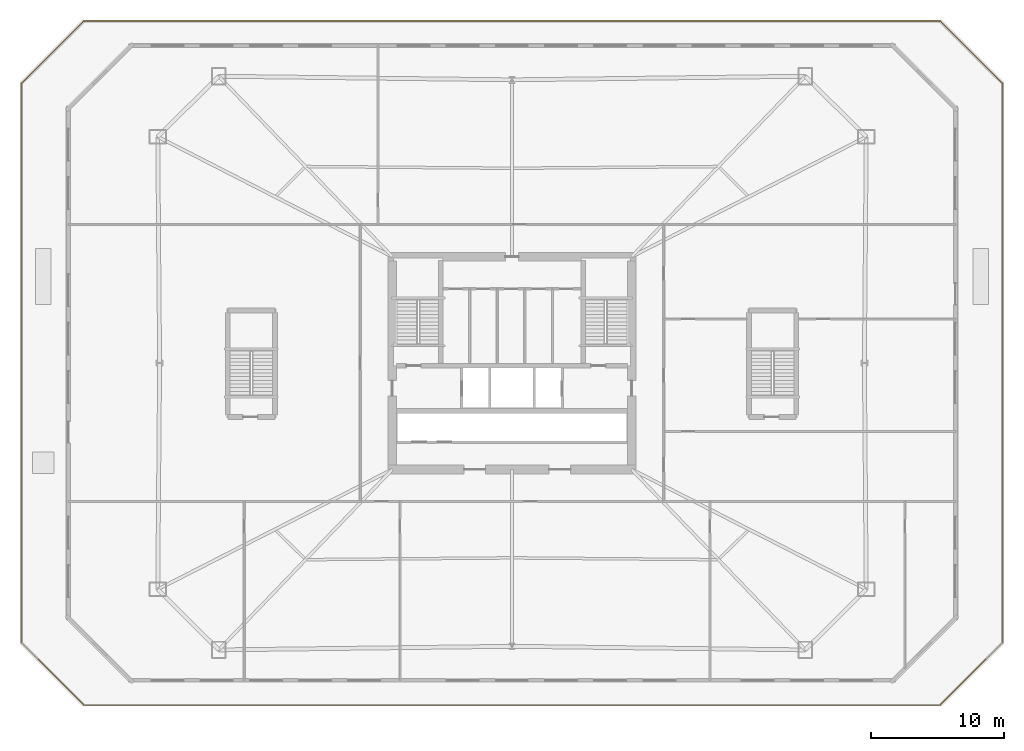
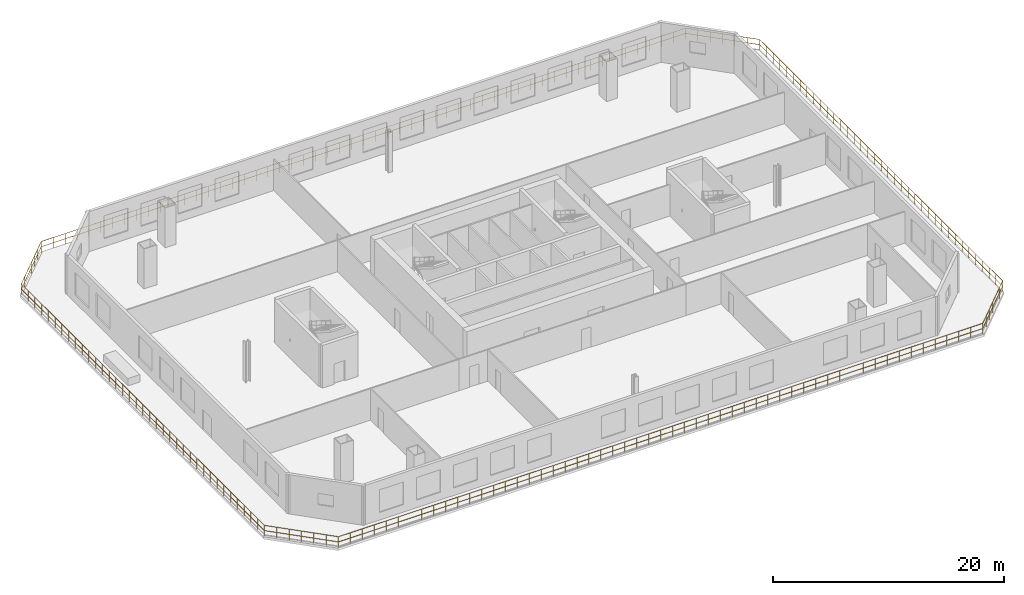
# One storey, part 8 of 10: 1 railing.
"""IFC4 building model written with IfcOpenShell, lengths in metres."""

from ifc_helpers import new_model, si_unit, direction, frame, origin, origin_2d, place, context, subcontext, project, spatial, circle, extrude, material, type_object, element, save


model = new_model("IFC4")

# Units and contexts
model_context = context("Model", 3, precision=1e-05, world=origin(), true_north=direction((0.0, 1.0)))
body_context = subcontext(model_context, "Body", "Model", "MODEL_VIEW")
ifc_project = project(units=[si_unit("LENGTHUNIT", "METRE"), si_unit("AREAUNIT", "SQUARE_METRE"), si_unit("VOLUMEUNIT", "CUBIC_METRE"), si_unit("PLANEANGLEUNIT", "RADIAN"), si_unit("MASSUNIT", "GRAM", prefix="KILO")], contexts=[model_context])

# Site, building, storey
site_placement = place(None, origin())
site = spatial("IfcSite", under=ifc_project, at=site_placement, CompositionType="ELEMENT")
building_placement = place(site_placement, origin())
building = spatial("IfcBuilding", under=site, at=building_placement, Name="Caelvoria Tower", CompositionType="ELEMENT")
storey_placement = place(building_placement, frame((0.0, 0.0, 14.0)))
storey = spatial("IfcBuildingStorey", under=building, at=storey_placement, Name="L03", CompositionType="ELEMENT", Elevation=14.0)

# Railing
ifc_material = material(Name="Bronze Anodised Aluminium and Stainless Steel", Category="steel")
railing_type = type_object("IfcRailingType", Name="Exterior Terrace and Balcony Guardrail 1150", PredefinedType="GUARDRAIL", material=ifc_material)
railing_placement = place(storey_placement, frame((13.793701171875, 6.27490234375, 0.0)))
element("IfcRailing", 1, at=railing_placement, inside=storey, type_object=railing_type, Name="Terraced Podium Roof Guardrail L03", PredefinedType="GUARDRAIL", context=body_context, shape_type="SweptSolid", body=[
    extrude(circle(Radius=0.02392578125, at=origin_2d()), frame((0.0, 0.0, 1.1259765625), z_axis=(1.0, 0.0, 0.0), x_axis=(0.0, 1.0, 0.0)), (0.0, 0.0, 1.0), 64.41259765625),
    extrude(circle(Radius=0.02392578125, at=origin_2d()), frame((0.0, 0.0, 0.574951171875), z_axis=(1.0, 0.0, 0.0), x_axis=(0.0, 1.0, 0.0)), (0.0, 0.0, 1.0), 64.41259765625),
    extrude(circle(Radius=0.02392578125, at=origin_2d()), frame((64.41259765625, 0.0, 1.1259765625), z_axis=(0.707475008358, 0.70673836216, 0.0), x_axis=(-0.70673836216, 0.707475008358, 0.0)), (0.0, 0.0, 1.0), 6.62841796875),
    extrude(circle(Radius=0.02392578125, at=origin_2d()), frame((64.41259765625, 0.0, 0.574951171875), z_axis=(0.707475008358, 0.70673836216, 0.0), x_axis=(-0.70673836216, 0.707475008358, 0.0)), (0.0, 0.0, 1.0), 6.62841796875),
    extrude(circle(Radius=0.02392578125, at=origin_2d()), frame((69.10205078125, 4.6845703125, 1.1259765625), z_axis=(0.0, 1.0, 0.0), x_axis=(-1.0, 0.0, 0.0)), (0.0, 0.0, 1.0), 42.0810546875),
    extrude(circle(Radius=0.02392578125, at=origin_2d()), frame((69.10205078125, 4.6845703125, 0.574951171875), z_axis=(0.0, 1.0, 0.0), x_axis=(-1.0, 0.0, 0.0)), (0.0, 0.0, 1.0), 42.0810546875),
    extrude(circle(Radius=0.02392578125, at=origin_2d()), frame((69.10205078125, 46.765625, 1.1259765625), z_axis=(-0.707475008358, 0.70673836216, 0.0), x_axis=(-0.70673836216, -0.707475008358, 0.0)), (0.0, 0.0, 1.0), 6.62841796875),
    extrude(circle(Radius=0.02392578125, at=origin_2d()), frame((69.10205078125, 46.765625, 0.574951171875), z_axis=(-0.707475008358, 0.70673836216, 0.0), x_axis=(-0.70673836216, -0.707475008358, 0.0)), (0.0, 0.0, 1.0), 6.62841796875),
    extrude(circle(Radius=0.02392578125, at=origin_2d()), frame((64.41259765625, 51.4501953125, 1.1259765625), z_axis=(-1.0, 0.0, 0.0), x_axis=(0.0, -1.0, 0.0)), (0.0, 0.0, 1.0), 64.41259765625),
    extrude(circle(Radius=0.02392578125, at=origin_2d()), frame((64.41259765625, 51.4501953125, 0.574951171875), z_axis=(-1.0, 0.0, 0.0), x_axis=(0.0, -1.0, 0.0)), (0.0, 0.0, 1.0), 64.41259765625),
    extrude(circle(Radius=0.02392578125, at=origin_2d()), frame((0.0, 51.4501953125, 1.1259765625), z_axis=(-0.707475008358, -0.70673836216, 0.0), x_axis=(0.70673836216, -0.707475008358, 0.0)), (0.0, 0.0, 1.0), 6.62841796875),
    extrude(circle(Radius=0.02392578125, at=origin_2d()), frame((0.0, 51.4501953125, 0.574951171875), z_axis=(-0.707475008358, -0.70673836216, 0.0), x_axis=(0.70673836216, -0.707475008358, 0.0)), (0.0, 0.0, 1.0), 6.62841796875),
    extrude(circle(Radius=0.02392578125, at=origin_2d()), frame((-4.689453125, 46.765625, 1.1259765625), z_axis=(0.0, -1.0, 0.0), x_axis=(1.0, 0.0, 0.0)), (0.0, 0.0, 1.0), 42.0810546875),
    extrude(circle(Radius=0.02392578125, at=origin_2d()), frame((-4.689453125, 46.765625, 0.574951171875), z_axis=(0.0, -1.0, 0.0), x_axis=(1.0, 0.0, 0.0)), (0.0, 0.0, 1.0), 42.0810546875),
    extrude(circle(Radius=0.02392578125, at=origin_2d()), frame((-4.689453125, 4.6845703125, 1.1259765625), z_axis=(0.707475008358, -0.70673836216, 0.0), x_axis=(0.70673836216, 0.707475008358, 0.0)), (0.0, 0.0, 1.0), 6.62841796875),
    extrude(circle(Radius=0.02392578125, at=origin_2d()), frame((-4.689453125, 4.6845703125, 0.574951171875), z_axis=(0.707475008358, -0.70673836216, 0.0), x_axis=(0.70673836216, 0.707475008358, 0.0)), (0.0, 0.0, 1.0), 6.62841796875),
    extrude(circle(Radius=0.02099609375, at=origin_2d()), origin(), (0.0, 0.0, 1.0), 1.101806640625),
    extrude(circle(Radius=0.02099609375, at=origin_2d()), frame((1.19287109375, 0.0, 0.0)), (0.0, 0.0, 1.0), 1.101806640625),
    extrude(circle(Radius=0.02099609375, at=origin_2d()), frame((2.3857421875, 0.0, 0.0)), (0.0, 0.0, 1.0), 1.101806640625),
    extrude(circle(Radius=0.02099609375, at=origin_2d()), frame((3.578369140625, 0.0, 0.0)), (0.0, 0.0, 1.0), 1.101806640625),
    extrude(circle(Radius=0.02099609375, at=origin_2d()), frame((4.771240234375, 0.0, 0.0)), (0.0, 0.0, 1.0), 1.101806640625),
    extrude(circle(Radius=0.02099609375, at=origin_2d()), frame((5.964111328125, 0.0, 0.0)), (0.0, 0.0, 1.0), 1.101806640625),
    extrude(circle(Radius=0.02099609375, at=origin_2d()), frame((7.156982421875, 0.0, 0.0)), (0.0, 0.0, 1.0), 1.101806640625),
    extrude(circle(Radius=0.02099609375, at=origin_2d()), frame((8.349853515625, 0.0, 0.0)), (0.0, 0.0, 1.0), 1.101806640625),
    extrude(circle(Radius=0.02099609375, at=origin_2d()), frame((9.542724609375, 0.0, 0.0)), (0.0, 0.0, 1.0), 1.101806640625),
    extrude(circle(Radius=0.02099609375, at=origin_2d()), frame((10.7353515625, 0.0, 0.0)), (0.0, 0.0, 1.0), 1.101806640625),
    extrude(circle(Radius=0.02099609375, at=origin_2d()), frame((11.92822265625, 0.0, 0.0)), (0.0, 0.0, 1.0), 1.101806640625),
    extrude(circle(Radius=0.02099609375, at=origin_2d()), frame((13.12109375, 0.0, 0.0)), (0.0, 0.0, 1.0), 1.101806640625),
    extrude(circle(Radius=0.02099609375, at=origin_2d()), frame((14.31396484375, 0.0, 0.0)), (0.0, 0.0, 1.0), 1.101806640625),
    extrude(circle(Radius=0.02099609375, at=origin_2d()), frame((15.5068359375, 0.0, 0.0)), (0.0, 0.0, 1.0), 1.101806640625),
    extrude(circle(Radius=0.02099609375, at=origin_2d()), frame((16.699462890625, 0.0, 0.0)), (0.0, 0.0, 1.0), 1.101806640625),
    extrude(circle(Radius=0.02099609375, at=origin_2d()), frame((17.892333984375, 0.0, 0.0)), (0.0, 0.0, 1.0), 1.101806640625),
    extrude(circle(Radius=0.02099609375, at=origin_2d()), frame((19.085205078125, 0.0, 0.0)), (0.0, 0.0, 1.0), 1.101806640625),
    extrude(circle(Radius=0.02099609375, at=origin_2d()), frame((20.278076171875, 0.0, 0.0)), (0.0, 0.0, 1.0), 1.101806640625),
    extrude(circle(Radius=0.02099609375, at=origin_2d()), frame((21.470947265625, 0.0, 0.0)), (0.0, 0.0, 1.0), 1.101806640625),
    extrude(circle(Radius=0.02099609375, at=origin_2d()), frame((22.66357421875, 0.0, 0.0)), (0.0, 0.0, 1.0), 1.101806640625),
    extrude(circle(Radius=0.02099609375, at=origin_2d()), frame((23.8564453125, 0.0, 0.0)), (0.0, 0.0, 1.0), 1.101806640625),
    extrude(circle(Radius=0.02099609375, at=origin_2d()), frame((25.04931640625, 0.0, 0.0)), (0.0, 0.0, 1.0), 1.101806640625),
    extrude(circle(Radius=0.02099609375, at=origin_2d()), frame((26.2421875, 0.0, 0.0)), (0.0, 0.0, 1.0), 1.101806640625),
    extrude(circle(Radius=0.02099609375, at=origin_2d()), frame((27.43505859375, 0.0, 0.0)), (0.0, 0.0, 1.0), 1.101806640625),
    extrude(circle(Radius=0.02099609375, at=origin_2d()), frame((28.6279296875, 0.0, 0.0)), (0.0, 0.0, 1.0), 1.101806640625),
    extrude(circle(Radius=0.02099609375, at=origin_2d()), frame((29.820556640625, 0.0, 0.0)), (0.0, 0.0, 1.0), 1.101806640625),
    extrude(circle(Radius=0.02099609375, at=origin_2d()), frame((31.013427734375, 0.0, 0.0)), (0.0, 0.0, 1.0), 1.101806640625),
    extrude(circle(Radius=0.02099609375, at=origin_2d()), frame((32.206298828125, 0.0, 0.0)), (0.0, 0.0, 1.0), 1.101806640625),
    extrude(circle(Radius=0.02099609375, at=origin_2d()), frame((33.399169921875, 0.0, 0.0)), (0.0, 0.0, 1.0), 1.101806640625),
    extrude(circle(Radius=0.02099609375, at=origin_2d()), frame((34.592041015625, 0.0, 0.0)), (0.0, 0.0, 1.0), 1.101806640625),
    extrude(circle(Radius=0.02099609375, at=origin_2d()), frame((35.78466796875, 0.0, 0.0)), (0.0, 0.0, 1.0), 1.101806640625),
    extrude(circle(Radius=0.02099609375, at=origin_2d()), frame((36.9775390625, 0.0, 0.0)), (0.0, 0.0, 1.0), 1.101806640625),
    extrude(circle(Radius=0.02099609375, at=origin_2d()), frame((38.17041015625, 0.0, 0.0)), (0.0, 0.0, 1.0), 1.101806640625),
    extrude(circle(Radius=0.02099609375, at=origin_2d()), frame((39.36328125, 0.0, 0.0)), (0.0, 0.0, 1.0), 1.101806640625),
    extrude(circle(Radius=0.02099609375, at=origin_2d()), frame((40.55615234375, 0.0, 0.0)), (0.0, 0.0, 1.0), 1.101806640625),
    extrude(circle(Radius=0.02099609375, at=origin_2d()), frame((41.7490234375, 0.0, 0.0)), (0.0, 0.0, 1.0), 1.101806640625),
    extrude(circle(Radius=0.02099609375, at=origin_2d()), frame((42.941650390625, 0.0, 0.0)), (0.0, 0.0, 1.0), 1.101806640625),
    extrude(circle(Radius=0.02099609375, at=origin_2d()), frame((44.134521484375, 0.0, 0.0)), (0.0, 0.0, 1.0), 1.101806640625),
    extrude(circle(Radius=0.02099609375, at=origin_2d()), frame((45.327392578125, 0.0, 0.0)), (0.0, 0.0, 1.0), 1.101806640625),
    extrude(circle(Radius=0.02099609375, at=origin_2d()), frame((46.520263671875, 0.0, 0.0)), (0.0, 0.0, 1.0), 1.101806640625),
    extrude(circle(Radius=0.02099609375, at=origin_2d()), frame((47.713134765625, 0.0, 0.0)), (0.0, 0.0, 1.0), 1.101806640625),
    extrude(circle(Radius=0.02099609375, at=origin_2d()), frame((48.90576171875, 0.0, 0.0)), (0.0, 0.0, 1.0), 1.101806640625),
    extrude(circle(Radius=0.02099609375, at=origin_2d()), frame((50.0986328125, 0.0, 0.0)), (0.0, 0.0, 1.0), 1.101806640625),
    extrude(circle(Radius=0.02099609375, at=origin_2d()), frame((51.29150390625, 0.0, 0.0)), (0.0, 0.0, 1.0), 1.101806640625),
    extrude(circle(Radius=0.02099609375, at=origin_2d()), frame((52.484375, 0.0, 0.0)), (0.0, 0.0, 1.0), 1.101806640625),
    extrude(circle(Radius=0.02099609375, at=origin_2d()), frame((53.67724609375, 0.0, 0.0)), (0.0, 0.0, 1.0), 1.101806640625),
    extrude(circle(Radius=0.02099609375, at=origin_2d()), frame((54.869873046875, 0.0, 0.0)), (0.0, 0.0, 1.0), 1.101806640625),
    extrude(circle(Radius=0.02099609375, at=origin_2d()), frame((56.062744140625, 0.0, 0.0)), (0.0, 0.0, 1.0), 1.101806640625),
    extrude(circle(Radius=0.02099609375, at=origin_2d()), frame((57.255615234375, 0.0, 0.0)), (0.0, 0.0, 1.0), 1.101806640625),
    extrude(circle(Radius=0.02099609375, at=origin_2d()), frame((58.448486328125, 0.0, 0.0)), (0.0, 0.0, 1.0), 1.101806640625),
    extrude(circle(Radius=0.02099609375, at=origin_2d()), frame((59.641357421875, 0.0, 0.0)), (0.0, 0.0, 1.0), 1.101806640625),
    extrude(circle(Radius=0.02099609375, at=origin_2d()), frame((60.834228515625, 0.0, 0.0)), (0.0, 0.0, 1.0), 1.101806640625),
    extrude(circle(Radius=0.02099609375, at=origin_2d()), frame((62.02685546875, 0.0, 0.0)), (0.0, 0.0, 1.0), 1.101806640625),
    extrude(circle(Radius=0.02099609375, at=origin_2d()), frame((63.2197265625, 0.0, 0.0)), (0.0, 0.0, 1.0), 1.101806640625),
    extrude(circle(Radius=0.02099609375, at=origin_2d()), frame((64.41259765625, 0.0, 0.0)), (0.0, 0.0, 1.0), 1.101806640625),
    extrude(circle(Radius=0.02099609375, at=origin_2d()), frame((65.194091796875, 0.78076171875, 0.0)), (0.0, 0.0, 1.0), 1.101806640625),
    extrude(circle(Radius=0.02099609375, at=origin_2d()), frame((65.975830078125, 1.5615234375, 0.0)), (0.0, 0.0, 1.0), 1.101806640625),
    extrude(circle(Radius=0.02099609375, at=origin_2d()), frame((66.75732421875, 2.34228515625, 0.0)), (0.0, 0.0, 1.0), 1.101806640625),
    extrude(circle(Radius=0.02099609375, at=origin_2d()), frame((67.538818359375, 3.123046875, 0.0)), (0.0, 0.0, 1.0), 1.101806640625),
    extrude(circle(Radius=0.02099609375, at=origin_2d()), frame((68.320556640625, 3.90380859375, 0.0)), (0.0, 0.0, 1.0), 1.101806640625),
    extrude(circle(Radius=0.02099609375, at=origin_2d()), frame((69.10205078125, 4.6845703125, 0.0)), (0.0, 0.0, 1.0), 1.101806640625),
    extrude(circle(Radius=0.02099609375, at=origin_2d()), frame((69.10205078125, 5.853515625, 0.0)), (0.0, 0.0, 1.0), 1.101806640625),
    extrude(circle(Radius=0.02099609375, at=origin_2d()), frame((69.10205078125, 7.0224609375, 0.0)), (0.0, 0.0, 1.0), 1.101806640625),
    extrude(circle(Radius=0.02099609375, at=origin_2d()), frame((69.10205078125, 8.19140625, 0.0)), (0.0, 0.0, 1.0), 1.101806640625),
    extrude(circle(Radius=0.02099609375, at=origin_2d()), frame((69.10205078125, 9.3603515625, 0.0)), (0.0, 0.0, 1.0), 1.101806640625),
    extrude(circle(Radius=0.02099609375, at=origin_2d()), frame((69.10205078125, 10.529052734375, 0.0)), (0.0, 0.0, 1.0), 1.101806640625),
    extrude(circle(Radius=0.02099609375, at=origin_2d()), frame((69.10205078125, 11.697998046875, 0.0)), (0.0, 0.0, 1.0), 1.101806640625),
    extrude(circle(Radius=0.02099609375, at=origin_2d()), frame((69.10205078125, 12.866943359375, 0.0)), (0.0, 0.0, 1.0), 1.101806640625),
    extrude(circle(Radius=0.02099609375, at=origin_2d()), frame((69.10205078125, 14.035888671875, 0.0)), (0.0, 0.0, 1.0), 1.101806640625),
    extrude(circle(Radius=0.02099609375, at=origin_2d()), frame((69.10205078125, 15.204833984375, 0.0)), (0.0, 0.0, 1.0), 1.101806640625),
    extrude(circle(Radius=0.02099609375, at=origin_2d()), frame((69.10205078125, 16.373779296875, 0.0)), (0.0, 0.0, 1.0), 1.101806640625),
    extrude(circle(Radius=0.02099609375, at=origin_2d()), frame((69.10205078125, 17.542724609375, 0.0)), (0.0, 0.0, 1.0), 1.101806640625),
    extrude(circle(Radius=0.02099609375, at=origin_2d()), frame((69.10205078125, 18.711669921875, 0.0)), (0.0, 0.0, 1.0), 1.101806640625),
    extrude(circle(Radius=0.02099609375, at=origin_2d()), frame((69.10205078125, 19.880615234375, 0.0)), (0.0, 0.0, 1.0), 1.101806640625),
    extrude(circle(Radius=0.02099609375, at=origin_2d()), frame((69.10205078125, 21.04931640625, 0.0)), (0.0, 0.0, 1.0), 1.101806640625),
    extrude(circle(Radius=0.02099609375, at=origin_2d()), frame((69.10205078125, 22.21826171875, 0.0)), (0.0, 0.0, 1.0), 1.101806640625),
    extrude(circle(Radius=0.02099609375, at=origin_2d()), frame((69.10205078125, 23.38720703125, 0.0)), (0.0, 0.0, 1.0), 1.101806640625),
    extrude(circle(Radius=0.02099609375, at=origin_2d()), frame((69.10205078125, 24.55615234375, 0.0)), (0.0, 0.0, 1.0), 1.101806640625),
    extrude(circle(Radius=0.02099609375, at=origin_2d()), frame((69.10205078125, 25.72509765625, 0.0)), (0.0, 0.0, 1.0), 1.101806640625),
    extrude(circle(Radius=0.02099609375, at=origin_2d()), frame((69.10205078125, 26.89404296875, 0.0)), (0.0, 0.0, 1.0), 1.101806640625),
    extrude(circle(Radius=0.02099609375, at=origin_2d()), frame((69.10205078125, 28.06298828125, 0.0)), (0.0, 0.0, 1.0), 1.101806640625),
    extrude(circle(Radius=0.02099609375, at=origin_2d()), frame((69.10205078125, 29.23193359375, 0.0)), (0.0, 0.0, 1.0), 1.101806640625),
    extrude(circle(Radius=0.02099609375, at=origin_2d()), frame((69.10205078125, 30.40087890625, 0.0)), (0.0, 0.0, 1.0), 1.101806640625),
    extrude(circle(Radius=0.02099609375, at=origin_2d()), frame((69.10205078125, 31.569580078125, 0.0)), (0.0, 0.0, 1.0), 1.101806640625),
    extrude(circle(Radius=0.02099609375, at=origin_2d()), frame((69.10205078125, 32.738525390625, 0.0)), (0.0, 0.0, 1.0), 1.101806640625),
    extrude(circle(Radius=0.02099609375, at=origin_2d()), frame((69.10205078125, 33.907470703125, 0.0)), (0.0, 0.0, 1.0), 1.101806640625),
    extrude(circle(Radius=0.02099609375, at=origin_2d()), frame((69.10205078125, 35.076416015625, 0.0)), (0.0, 0.0, 1.0), 1.101806640625),
    extrude(circle(Radius=0.02099609375, at=origin_2d()), frame((69.10205078125, 36.245361328125, 0.0)), (0.0, 0.0, 1.0), 1.101806640625),
    extrude(circle(Radius=0.02099609375, at=origin_2d()), frame((69.10205078125, 37.414306640625, 0.0)), (0.0, 0.0, 1.0), 1.101806640625),
    extrude(circle(Radius=0.02099609375, at=origin_2d()), frame((69.10205078125, 38.583251953125, 0.0)), (0.0, 0.0, 1.0), 1.101806640625),
    extrude(circle(Radius=0.02099609375, at=origin_2d()), frame((69.10205078125, 39.752197265625, 0.0)), (0.0, 0.0, 1.0), 1.101806640625),
    extrude(circle(Radius=0.02099609375, at=origin_2d()), frame((69.10205078125, 40.921142578125, 0.0)), (0.0, 0.0, 1.0), 1.101806640625),
    extrude(circle(Radius=0.02099609375, at=origin_2d()), frame((69.10205078125, 42.08984375, 0.0)), (0.0, 0.0, 1.0), 1.101806640625),
    extrude(circle(Radius=0.02099609375, at=origin_2d()), frame((69.10205078125, 43.2587890625, 0.0)), (0.0, 0.0, 1.0), 1.101806640625),
    extrude(circle(Radius=0.02099609375, at=origin_2d()), frame((69.10205078125, 44.427734375, 0.0)), (0.0, 0.0, 1.0), 1.101806640625),
    extrude(circle(Radius=0.02099609375, at=origin_2d()), frame((69.10205078125, 45.5966796875, 0.0)), (0.0, 0.0, 1.0), 1.101806640625),
    extrude(circle(Radius=0.02099609375, at=origin_2d()), frame((69.10205078125, 46.765625, 0.0)), (0.0, 0.0, 1.0), 1.101806640625),
    extrude(circle(Radius=0.02099609375, at=origin_2d()), frame((68.320556640625, 47.54638671875, 0.0)), (0.0, 0.0, 1.0), 1.101806640625),
    extrude(circle(Radius=0.02099609375, at=origin_2d()), frame((67.538818359375, 48.3271484375, 0.0)), (0.0, 0.0, 1.0), 1.101806640625),
    extrude(circle(Radius=0.02099609375, at=origin_2d()), frame((66.75732421875, 49.10791015625, 0.0)), (0.0, 0.0, 1.0), 1.101806640625),
    extrude(circle(Radius=0.02099609375, at=origin_2d()), frame((65.975830078125, 49.888671875, 0.0)), (0.0, 0.0, 1.0), 1.101806640625),
    extrude(circle(Radius=0.02099609375, at=origin_2d()), frame((65.194091796875, 50.66943359375, 0.0)), (0.0, 0.0, 1.0), 1.101806640625),
    extrude(circle(Radius=0.02099609375, at=origin_2d()), frame((64.41259765625, 51.4501953125, 0.0)), (0.0, 0.0, 1.0), 1.101806640625),
    extrude(circle(Radius=0.02099609375, at=origin_2d()), frame((63.2197265625, 51.4501953125, 0.0)), (0.0, 0.0, 1.0), 1.101806640625),
    extrude(circle(Radius=0.02099609375, at=origin_2d()), frame((62.02685546875, 51.4501953125, 0.0)), (0.0, 0.0, 1.0), 1.101806640625),
    extrude(circle(Radius=0.02099609375, at=origin_2d()), frame((60.834228515625, 51.4501953125, 0.0)), (0.0, 0.0, 1.0), 1.101806640625),
    extrude(circle(Radius=0.02099609375, at=origin_2d()), frame((59.641357421875, 51.4501953125, 0.0)), (0.0, 0.0, 1.0), 1.101806640625),
    extrude(circle(Radius=0.02099609375, at=origin_2d()), frame((58.448486328125, 51.4501953125, 0.0)), (0.0, 0.0, 1.0), 1.101806640625),
    extrude(circle(Radius=0.02099609375, at=origin_2d()), frame((57.255615234375, 51.4501953125, 0.0)), (0.0, 0.0, 1.0), 1.101806640625),
    extrude(circle(Radius=0.02099609375, at=origin_2d()), frame((56.062744140625, 51.4501953125, 0.0)), (0.0, 0.0, 1.0), 1.101806640625),
    extrude(circle(Radius=0.02099609375, at=origin_2d()), frame((54.869873046875, 51.4501953125, 0.0)), (0.0, 0.0, 1.0), 1.101806640625),
    extrude(circle(Radius=0.02099609375, at=origin_2d()), frame((53.67724609375, 51.4501953125, 0.0)), (0.0, 0.0, 1.0), 1.101806640625),
    extrude(circle(Radius=0.02099609375, at=origin_2d()), frame((52.484375, 51.4501953125, 0.0)), (0.0, 0.0, 1.0), 1.101806640625),
    extrude(circle(Radius=0.02099609375, at=origin_2d()), frame((51.29150390625, 51.4501953125, 0.0)), (0.0, 0.0, 1.0), 1.101806640625),
    extrude(circle(Radius=0.02099609375, at=origin_2d()), frame((50.0986328125, 51.4501953125, 0.0)), (0.0, 0.0, 1.0), 1.101806640625),
    extrude(circle(Radius=0.02099609375, at=origin_2d()), frame((48.90576171875, 51.4501953125, 0.0)), (0.0, 0.0, 1.0), 1.101806640625),
    extrude(circle(Radius=0.02099609375, at=origin_2d()), frame((47.713134765625, 51.4501953125, 0.0)), (0.0, 0.0, 1.0), 1.101806640625),
    extrude(circle(Radius=0.02099609375, at=origin_2d()), frame((46.520263671875, 51.4501953125, 0.0)), (0.0, 0.0, 1.0), 1.101806640625),
    extrude(circle(Radius=0.02099609375, at=origin_2d()), frame((45.327392578125, 51.4501953125, 0.0)), (0.0, 0.0, 1.0), 1.101806640625),
    extrude(circle(Radius=0.02099609375, at=origin_2d()), frame((44.134521484375, 51.4501953125, 0.0)), (0.0, 0.0, 1.0), 1.101806640625),
    extrude(circle(Radius=0.02099609375, at=origin_2d()), frame((42.941650390625, 51.4501953125, 0.0)), (0.0, 0.0, 1.0), 1.101806640625),
    extrude(circle(Radius=0.02099609375, at=origin_2d()), frame((41.7490234375, 51.4501953125, 0.0)), (0.0, 0.0, 1.0), 1.101806640625),
    extrude(circle(Radius=0.02099609375, at=origin_2d()), frame((40.55615234375, 51.4501953125, 0.0)), (0.0, 0.0, 1.0), 1.101806640625),
    extrude(circle(Radius=0.02099609375, at=origin_2d()), frame((39.36328125, 51.4501953125, 0.0)), (0.0, 0.0, 1.0), 1.101806640625),
    extrude(circle(Radius=0.02099609375, at=origin_2d()), frame((38.17041015625, 51.4501953125, 0.0)), (0.0, 0.0, 1.0), 1.101806640625),
    extrude(circle(Radius=0.02099609375, at=origin_2d()), frame((36.9775390625, 51.4501953125, 0.0)), (0.0, 0.0, 1.0), 1.101806640625),
    extrude(circle(Radius=0.02099609375, at=origin_2d()), frame((35.78466796875, 51.4501953125, 0.0)), (0.0, 0.0, 1.0), 1.101806640625),
    extrude(circle(Radius=0.02099609375, at=origin_2d()), frame((34.592041015625, 51.4501953125, 0.0)), (0.0, 0.0, 1.0), 1.101806640625),
    extrude(circle(Radius=0.02099609375, at=origin_2d()), frame((33.399169921875, 51.4501953125, 0.0)), (0.0, 0.0, 1.0), 1.101806640625),
    extrude(circle(Radius=0.02099609375, at=origin_2d()), frame((32.206298828125, 51.4501953125, 0.0)), (0.0, 0.0, 1.0), 1.101806640625),
    extrude(circle(Radius=0.02099609375, at=origin_2d()), frame((31.013427734375, 51.4501953125, 0.0)), (0.0, 0.0, 1.0), 1.101806640625),
    extrude(circle(Radius=0.02099609375, at=origin_2d()), frame((29.820556640625, 51.4501953125, 0.0)), (0.0, 0.0, 1.0), 1.101806640625),
    extrude(circle(Radius=0.02099609375, at=origin_2d()), frame((28.6279296875, 51.4501953125, 0.0)), (0.0, 0.0, 1.0), 1.101806640625),
    extrude(circle(Radius=0.02099609375, at=origin_2d()), frame((27.43505859375, 51.4501953125, 0.0)), (0.0, 0.0, 1.0), 1.101806640625),
    extrude(circle(Radius=0.02099609375, at=origin_2d()), frame((26.2421875, 51.4501953125, 0.0)), (0.0, 0.0, 1.0), 1.101806640625),
    extrude(circle(Radius=0.02099609375, at=origin_2d()), frame((25.04931640625, 51.4501953125, 0.0)), (0.0, 0.0, 1.0), 1.101806640625),
    extrude(circle(Radius=0.02099609375, at=origin_2d()), frame((23.8564453125, 51.4501953125, 0.0)), (0.0, 0.0, 1.0), 1.101806640625),
    extrude(circle(Radius=0.02099609375, at=origin_2d()), frame((22.66357421875, 51.4501953125, 0.0)), (0.0, 0.0, 1.0), 1.101806640625),
    extrude(circle(Radius=0.02099609375, at=origin_2d()), frame((21.470947265625, 51.4501953125, 0.0)), (0.0, 0.0, 1.0), 1.101806640625),
    extrude(circle(Radius=0.02099609375, at=origin_2d()), frame((20.278076171875, 51.4501953125, 0.0)), (0.0, 0.0, 1.0), 1.101806640625),
    extrude(circle(Radius=0.02099609375, at=origin_2d()), frame((19.085205078125, 51.4501953125, 0.0)), (0.0, 0.0, 1.0), 1.101806640625),
    extrude(circle(Radius=0.02099609375, at=origin_2d()), frame((17.892333984375, 51.4501953125, 0.0)), (0.0, 0.0, 1.0), 1.101806640625),
    extrude(circle(Radius=0.02099609375, at=origin_2d()), frame((16.699462890625, 51.4501953125, 0.0)), (0.0, 0.0, 1.0), 1.101806640625),
    extrude(circle(Radius=0.02099609375, at=origin_2d()), frame((15.5068359375, 51.4501953125, 0.0)), (0.0, 0.0, 1.0), 1.101806640625),
    extrude(circle(Radius=0.02099609375, at=origin_2d()), frame((14.31396484375, 51.4501953125, 0.0)), (0.0, 0.0, 1.0), 1.101806640625),
    extrude(circle(Radius=0.02099609375, at=origin_2d()), frame((13.12109375, 51.4501953125, 0.0)), (0.0, 0.0, 1.0), 1.101806640625),
    extrude(circle(Radius=0.02099609375, at=origin_2d()), frame((11.92822265625, 51.4501953125, 0.0)), (0.0, 0.0, 1.0), 1.101806640625),
    extrude(circle(Radius=0.02099609375, at=origin_2d()), frame((10.7353515625, 51.4501953125, 0.0)), (0.0, 0.0, 1.0), 1.101806640625),
    extrude(circle(Radius=0.02099609375, at=origin_2d()), frame((9.542724609375, 51.4501953125, 0.0)), (0.0, 0.0, 1.0), 1.101806640625),
    extrude(circle(Radius=0.02099609375, at=origin_2d()), frame((8.349853515625, 51.4501953125, 0.0)), (0.0, 0.0, 1.0), 1.101806640625),
    extrude(circle(Radius=0.02099609375, at=origin_2d()), frame((7.156982421875, 51.4501953125, 0.0)), (0.0, 0.0, 1.0), 1.101806640625),
    extrude(circle(Radius=0.02099609375, at=origin_2d()), frame((5.964111328125, 51.4501953125, 0.0)), (0.0, 0.0, 1.0), 1.101806640625),
    extrude(circle(Radius=0.02099609375, at=origin_2d()), frame((4.771240234375, 51.4501953125, 0.0)), (0.0, 0.0, 1.0), 1.101806640625),
    extrude(circle(Radius=0.02099609375, at=origin_2d()), frame((3.578369140625, 51.4501953125, 0.0)), (0.0, 0.0, 1.0), 1.101806640625),
    extrude(circle(Radius=0.02099609375, at=origin_2d()), frame((2.3857421875, 51.4501953125, 0.0)), (0.0, 0.0, 1.0), 1.101806640625),
    extrude(circle(Radius=0.02099609375, at=origin_2d()), frame((1.19287109375, 51.4501953125, 0.0)), (0.0, 0.0, 1.0), 1.101806640625),
    extrude(circle(Radius=0.02099609375, at=origin_2d()), frame((0.0, 51.4501953125, 0.0)), (0.0, 0.0, 1.0), 1.101806640625),
    extrude(circle(Radius=0.02099609375, at=origin_2d()), frame((-0.781494140625, 50.66943359375, 0.0)), (0.0, 0.0, 1.0), 1.101806640625),
    extrude(circle(Radius=0.02099609375, at=origin_2d()), frame((-1.563232421875, 49.888671875, 0.0)), (0.0, 0.0, 1.0), 1.101806640625),
    extrude(circle(Radius=0.02099609375, at=origin_2d()), frame((-2.3447265625, 49.10791015625, 0.0)), (0.0, 0.0, 1.0), 1.101806640625),
    extrude(circle(Radius=0.02099609375, at=origin_2d()), frame((-3.126220703125, 48.3271484375, 0.0)), (0.0, 0.0, 1.0), 1.101806640625),
    extrude(circle(Radius=0.02099609375, at=origin_2d()), frame((-3.907958984375, 47.54638671875, 0.0)), (0.0, 0.0, 1.0), 1.101806640625),
    extrude(circle(Radius=0.02099609375, at=origin_2d()), frame((-4.689453125, 46.765625, 0.0)), (0.0, 0.0, 1.0), 1.101806640625),
    extrude(circle(Radius=0.02099609375, at=origin_2d()), frame((-4.689453125, 45.5966796875, 0.0)), (0.0, 0.0, 1.0), 1.101806640625),
    extrude(circle(Radius=0.02099609375, at=origin_2d()), frame((-4.689453125, 44.427734375, 0.0)), (0.0, 0.0, 1.0), 1.101806640625),
    extrude(circle(Radius=0.02099609375, at=origin_2d()), frame((-4.689453125, 43.2587890625, 0.0)), (0.0, 0.0, 1.0), 1.101806640625),
    extrude(circle(Radius=0.02099609375, at=origin_2d()), frame((-4.689453125, 42.08984375, 0.0)), (0.0, 0.0, 1.0), 1.101806640625),
    extrude(circle(Radius=0.02099609375, at=origin_2d()), frame((-4.689453125, 40.921142578125, 0.0)), (0.0, 0.0, 1.0), 1.101806640625),
    extrude(circle(Radius=0.02099609375, at=origin_2d()), frame((-4.689453125, 39.752197265625, 0.0)), (0.0, 0.0, 1.0), 1.101806640625),
    extrude(circle(Radius=0.02099609375, at=origin_2d()), frame((-4.689453125, 38.583251953125, 0.0)), (0.0, 0.0, 1.0), 1.101806640625),
    extrude(circle(Radius=0.02099609375, at=origin_2d()), frame((-4.689453125, 37.414306640625, 0.0)), (0.0, 0.0, 1.0), 1.101806640625),
    extrude(circle(Radius=0.02099609375, at=origin_2d()), frame((-4.689453125, 36.245361328125, 0.0)), (0.0, 0.0, 1.0), 1.101806640625),
    extrude(circle(Radius=0.02099609375, at=origin_2d()), frame((-4.689453125, 35.076416015625, 0.0)), (0.0, 0.0, 1.0), 1.101806640625),
    extrude(circle(Radius=0.02099609375, at=origin_2d()), frame((-4.689453125, 33.907470703125, 0.0)), (0.0, 0.0, 1.0), 1.101806640625),
    extrude(circle(Radius=0.02099609375, at=origin_2d()), frame((-4.689453125, 32.738525390625, 0.0)), (0.0, 0.0, 1.0), 1.101806640625),
    extrude(circle(Radius=0.02099609375, at=origin_2d()), frame((-4.689453125, 31.569580078125, 0.0)), (0.0, 0.0, 1.0), 1.101806640625),
    extrude(circle(Radius=0.02099609375, at=origin_2d()), frame((-4.689453125, 30.40087890625, 0.0)), (0.0, 0.0, 1.0), 1.101806640625),
    extrude(circle(Radius=0.02099609375, at=origin_2d()), frame((-4.689453125, 29.23193359375, 0.0)), (0.0, 0.0, 1.0), 1.101806640625),
    extrude(circle(Radius=0.02099609375, at=origin_2d()), frame((-4.689453125, 28.06298828125, 0.0)), (0.0, 0.0, 1.0), 1.101806640625),
    extrude(circle(Radius=0.02099609375, at=origin_2d()), frame((-4.689453125, 26.89404296875, 0.0)), (0.0, 0.0, 1.0), 1.101806640625),
    extrude(circle(Radius=0.02099609375, at=origin_2d()), frame((-4.689453125, 25.72509765625, 0.0)), (0.0, 0.0, 1.0), 1.101806640625),
    extrude(circle(Radius=0.02099609375, at=origin_2d()), frame((-4.689453125, 24.55615234375, 0.0)), (0.0, 0.0, 1.0), 1.101806640625),
    extrude(circle(Radius=0.02099609375, at=origin_2d()), frame((-4.689453125, 23.38720703125, 0.0)), (0.0, 0.0, 1.0), 1.101806640625),
    extrude(circle(Radius=0.02099609375, at=origin_2d()), frame((-4.689453125, 22.21826171875, 0.0)), (0.0, 0.0, 1.0), 1.101806640625),
    extrude(circle(Radius=0.02099609375, at=origin_2d()), frame((-4.689453125, 21.04931640625, 0.0)), (0.0, 0.0, 1.0), 1.101806640625),
    extrude(circle(Radius=0.02099609375, at=origin_2d()), frame((-4.689453125, 19.880615234375, 0.0)), (0.0, 0.0, 1.0), 1.101806640625),
    extrude(circle(Radius=0.02099609375, at=origin_2d()), frame((-4.689453125, 18.711669921875, 0.0)), (0.0, 0.0, 1.0), 1.101806640625),
    extrude(circle(Radius=0.02099609375, at=origin_2d()), frame((-4.689453125, 17.542724609375, 0.0)), (0.0, 0.0, 1.0), 1.101806640625),
    extrude(circle(Radius=0.02099609375, at=origin_2d()), frame((-4.689453125, 16.373779296875, 0.0)), (0.0, 0.0, 1.0), 1.101806640625),
    extrude(circle(Radius=0.02099609375, at=origin_2d()), frame((-4.689453125, 15.204833984375, 0.0)), (0.0, 0.0, 1.0), 1.101806640625),
    extrude(circle(Radius=0.02099609375, at=origin_2d()), frame((-4.689453125, 14.035888671875, 0.0)), (0.0, 0.0, 1.0), 1.101806640625),
    extrude(circle(Radius=0.02099609375, at=origin_2d()), frame((-4.689453125, 12.866943359375, 0.0)), (0.0, 0.0, 1.0), 1.101806640625),
    extrude(circle(Radius=0.02099609375, at=origin_2d()), frame((-4.689453125, 11.697998046875, 0.0)), (0.0, 0.0, 1.0), 1.101806640625),
    extrude(circle(Radius=0.02099609375, at=origin_2d()), frame((-4.689453125, 10.529052734375, 0.0)), (0.0, 0.0, 1.0), 1.101806640625),
    extrude(circle(Radius=0.02099609375, at=origin_2d()), frame((-4.689453125, 9.3603515625, 0.0)), (0.0, 0.0, 1.0), 1.101806640625),
    extrude(circle(Radius=0.02099609375, at=origin_2d()), frame((-4.689453125, 8.19140625, 0.0)), (0.0, 0.0, 1.0), 1.101806640625),
    extrude(circle(Radius=0.02099609375, at=origin_2d()), frame((-4.689453125, 7.0224609375, 0.0)), (0.0, 0.0, 1.0), 1.101806640625),
    extrude(circle(Radius=0.02099609375, at=origin_2d()), frame((-4.689453125, 5.853515625, 0.0)), (0.0, 0.0, 1.0), 1.101806640625),
    extrude(circle(Radius=0.02099609375, at=origin_2d()), frame((-4.689453125, 4.6845703125, 0.0)), (0.0, 0.0, 1.0), 1.101806640625),
    extrude(circle(Radius=0.02099609375, at=origin_2d()), frame((-3.907958984375, 3.90380859375, 0.0)), (0.0, 0.0, 1.0), 1.101806640625),
    extrude(circle(Radius=0.02099609375, at=origin_2d()), frame((-3.126220703125, 3.123046875, 0.0)), (0.0, 0.0, 1.0), 1.101806640625),
    extrude(circle(Radius=0.02099609375, at=origin_2d()), frame((-2.3447265625, 2.34228515625, 0.0)), (0.0, 0.0, 1.0), 1.101806640625),
    extrude(circle(Radius=0.02099609375, at=origin_2d()), frame((-1.563232421875, 1.5615234375, 0.0)), (0.0, 0.0, 1.0), 1.101806640625),
    extrude(circle(Radius=0.02099609375, at=origin_2d()), frame((-0.781494140625, 0.78076171875, 0.0)), (0.0, 0.0, 1.0), 1.101806640625),
])

save(model, "model.ifc")
